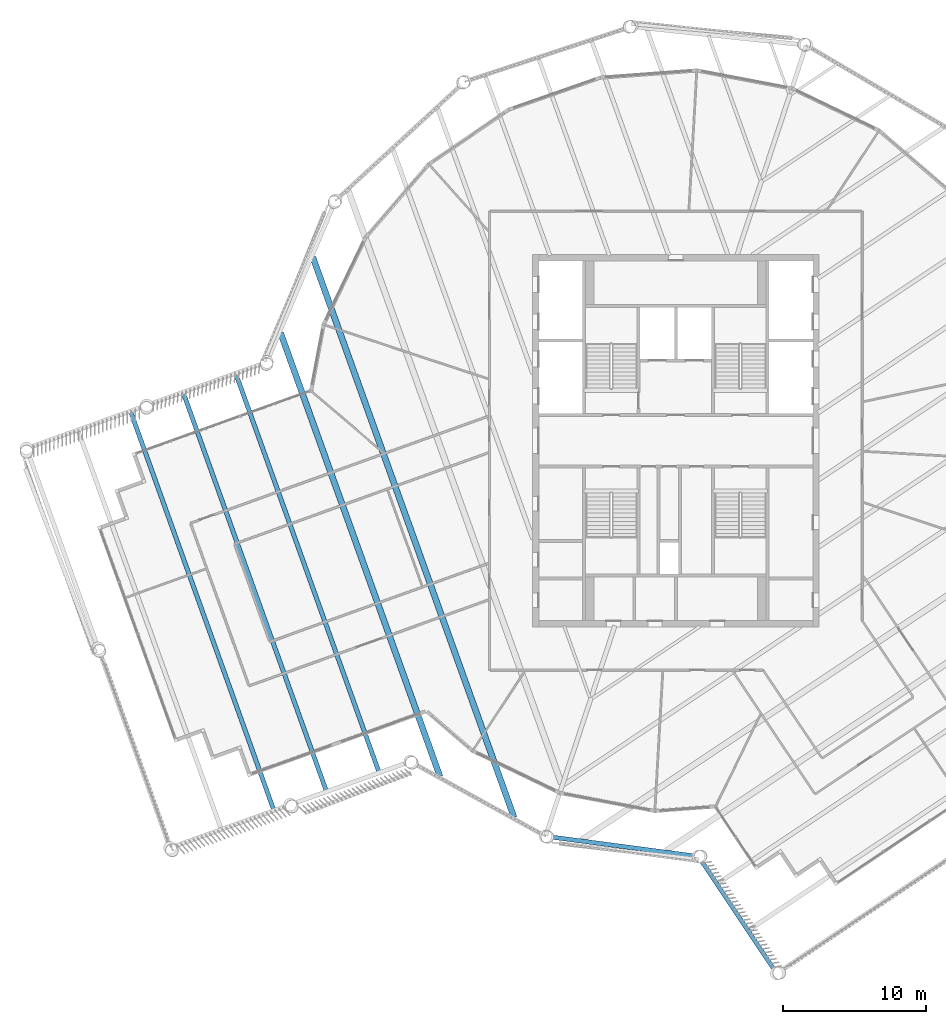
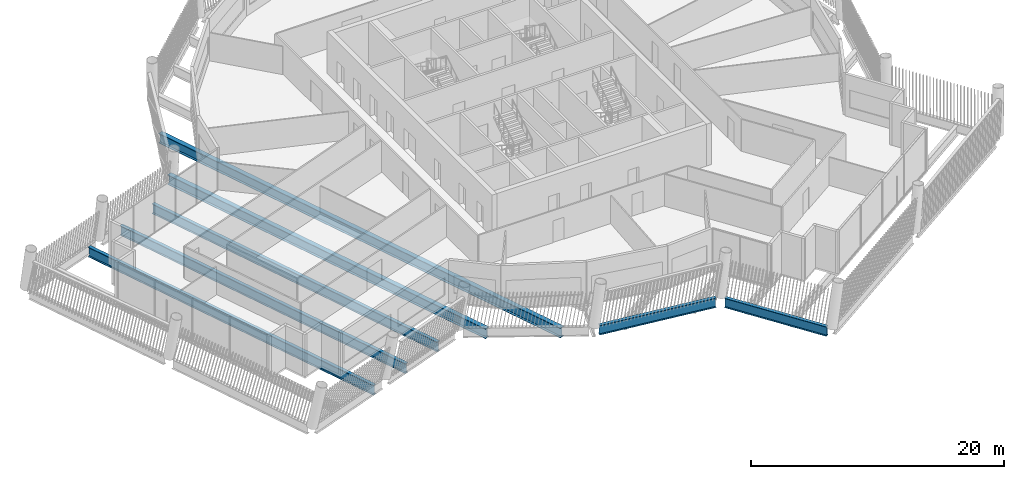
# One storey, part 5 of 28: 7 beams.
"""IFC4 building model written with IfcOpenShell, lengths in metres."""

from ifc_helpers import new_model, si_unit, direction, frame, origin, origin_2d, place, context, subcontext, project, spatial, i_section, extrude, material, material_profile, profile_set, type_object, element, save


model = new_model("IFC4")

# Units and contexts
model_context = context("Model", 3, precision=1e-05, world=origin(), true_north=direction((0.0, 1.0)))
body_context = subcontext(model_context, "Body", "Model", "MODEL_VIEW")
ifc_project = project(units=[si_unit("LENGTHUNIT", "METRE"), si_unit("AREAUNIT", "SQUARE_METRE"), si_unit("VOLUMEUNIT", "CUBIC_METRE"), si_unit("PLANEANGLEUNIT", "RADIAN"), si_unit("MASSUNIT", "GRAM", prefix="KILO")], contexts=[model_context])

# Site, building, storey
site_placement = place(None, origin())
site = spatial("IfcSite", under=ifc_project, at=site_placement, CompositionType="ELEMENT")
building_placement = place(site_placement, origin())
building = spatial("IfcBuilding", under=site, at=building_placement, Name="Tarsis Ring Headquarters", CompositionType="ELEMENT")
storey_placement = place(building_placement, frame((0.0, 0.0, 365.0)))
storey = spatial("IfcBuildingStorey", under=building, at=storey_placement, Name="L86", CompositionType="ELEMENT", Elevation=365.0)

# Beams
ifc_material = material(Name="Structural steel S355", Category="steel")
ifc_material_profile_1 = material_profile(ifc_material, i_section(OverallWidth=0.309814453125, OverallDepth=0.949951171875, WebThickness=0.0244140625, FlangeThickness=0.0439453125, at=origin_2d()), Name="W36x256")
ifc_profile_set_1 = profile_set([ifc_material_profile_1], Name="Structural steel S355")
beam_type_1 = type_object("IfcBeamType", Name="FB Floor beam W36x256", PredefinedType="JOIST", material=ifc_profile_set_1)
beam_1_placement = place(storey_placement, frame((-30.678466796875, 4.649658203125, -0.635009765625), z_axis=(0.338084527963, -0.941115748435, 0.0), x_axis=(0.941115748435, 0.338084527963, 0.0)))
element("IfcBeam", 1, at=beam_1_placement, inside=storey, type_object=beam_type_1, Name="Floor beam FB11", PredefinedType="JOIST", context=body_context, shape_type="SweptSolid", body=[
    extrude(i_section(OverallWidth=0.309814453125, OverallDepth=0.949951171875, WebThickness=0.0244140625, FlangeThickness=0.0439453125, at=origin_2d()), origin(), (0.0, 0.0, 1.0), 29.495361328125),
])
beam_2_placement = place(storey_placement, frame((-34.3486328125, 3.3310546875, -0.635009765625), z_axis=(0.338079830382, -0.941117435971, 0.0), x_axis=(0.941117435971, 0.338079830382, 0.0)))
element("IfcBeam", 2, at=beam_2_placement, inside=storey, type_object=beam_type_1, Name="Floor beam FB11", PredefinedType="JOIST", context=body_context, shape_type="SweptSolid", body=[
    extrude(i_section(OverallWidth=0.309814453125, OverallDepth=0.949951171875, WebThickness=0.0244140625, FlangeThickness=0.0439453125, at=origin_2d()), origin(), (0.0, 0.0, 1.0), 29.4951171875),
])
beam_3_placement = place(storey_placement, frame((-38.01904296875, 2.0126953125, -0.635009765625), z_axis=(0.338077196776, -0.941118382044, 0.0), x_axis=(0.941118382044, 0.338077196776, 0.0)))
element("IfcBeam", 3, at=beam_3_placement, inside=storey, type_object=beam_type_1, Name="Floor beam FB11", PredefinedType="JOIST", context=body_context, shape_type="SweptSolid", body=[
    extrude(i_section(OverallWidth=0.309814453125, OverallDepth=0.949951171875, WebThickness=0.0244140625, FlangeThickness=0.0439453125, at=origin_2d()), origin(), (0.0, 0.0, 1.0), 29.495361328125),
])
ifc_material_profile_2 = material_profile(ifc_material, i_section(OverallWidth=0.42431640625, OverallDepth=0.947509765625, WebThickness=0.02392578125, FlangeThickness=0.042724609375, at=origin_2d()), Name="W36x302")
ifc_profile_set_2 = profile_set([ifc_material_profile_2], Name="Structural steel S355")
beam_type_2 = type_object("IfcBeamType", Name="FB Floor beam W36x302", PredefinedType="JOIST", material=ifc_profile_set_2)
beam_4_placement = place(storey_placement, frame((-25.319580078125, 12.803955078125, -0.6337890625), z_axis=(0.338076380064, -0.94111867543, 0.0), x_axis=(0.94111867543, 0.338076380064, 0.0)))
element("IfcBeam", 4, at=beam_4_placement, inside=storey, type_object=beam_type_2, Name="Floor beam FB12", PredefinedType="JOIST", context=body_context, shape_type="SweptSolid", body=[
    extrude(i_section(OverallWidth=0.42431640625, OverallDepth=0.947509765625, WebThickness=0.02392578125, FlangeThickness=0.042724609375, at=origin_2d()), origin(), (0.0, 0.0, 1.0), 41.53125),
])
beam_5_placement = place(storey_placement, frame((-27.566162109375, 7.52197265625, -0.6337890625), z_axis=(0.338082628284, -0.941116430869, 0.0), x_axis=(0.941116430869, 0.338082628284, 0.0)))
element("IfcBeam", 5, at=beam_5_placement, inside=storey, type_object=beam_type_2, Name="Floor beam FB12", PredefinedType="JOIST", context=body_context, shape_type="SweptSolid", body=[
    extrude(i_section(OverallWidth=0.42431640625, OverallDepth=0.947509765625, WebThickness=0.02392578125, FlangeThickness=0.042724609375, at=origin_2d()), origin(), (0.0, 0.0, 1.0), 32.883056640625),
])
ifc_material_profile_3 = material_profile(ifc_material, i_section(OverallWidth=0.3046875, OverallDepth=0.91943359375, WebThickness=0.017333984375, FlangeThickness=0.02783203125, at=origin_2d()), Name="W36x170")
ifc_profile_set_3 = profile_set([ifc_material_profile_3], Name="Structural steel S355")
beam_type_3 = type_object("IfcBeamType", Name="XG Ring girder W36x170", PredefinedType="BEAM", material=ifc_profile_set_3)
beam_6_placement = place(storey_placement, frame((-8.684326171875, -27.64306640625, -0.459716796875), z_axis=(0.991318537212, -0.131482157645, 0.0), x_axis=(0.131482157645, 0.991318537212, 0.0)))
element("IfcBeam", 6, at=beam_6_placement, inside=storey, type_object=beam_type_3, Name="Ring girder XG4", PredefinedType="BEAM", context=body_context, shape_type="SweptSolid", body=[
    extrude(i_section(OverallWidth=0.3046875, OverallDepth=0.91943359375, WebThickness=0.017333984375, FlangeThickness=0.02783203125, at=origin_2d()), origin(), (0.0, 0.0, 1.0), 9.948974609375),
])
beam_7_placement = place(storey_placement, frame((1.814697265625, -29.34716796875, -0.459716796875), z_axis=(0.55571598426, -0.831372205957, 0.0), x_axis=(0.831372205957, 0.55571598426, 0.0)))
element("IfcBeam", 7, at=beam_7_placement, inside=storey, type_object=beam_type_3, Name="Ring girder XG4", PredefinedType="BEAM", context=body_context, shape_type="SweptSolid", body=[
    extrude(i_section(OverallWidth=0.3046875, OverallDepth=0.91943359375, WebThickness=0.017333984375, FlangeThickness=0.02783203125, at=origin_2d()), origin(), (0.0, 0.0, 1.0), 8.981689453125),
])

save(model, "model.ifc")
